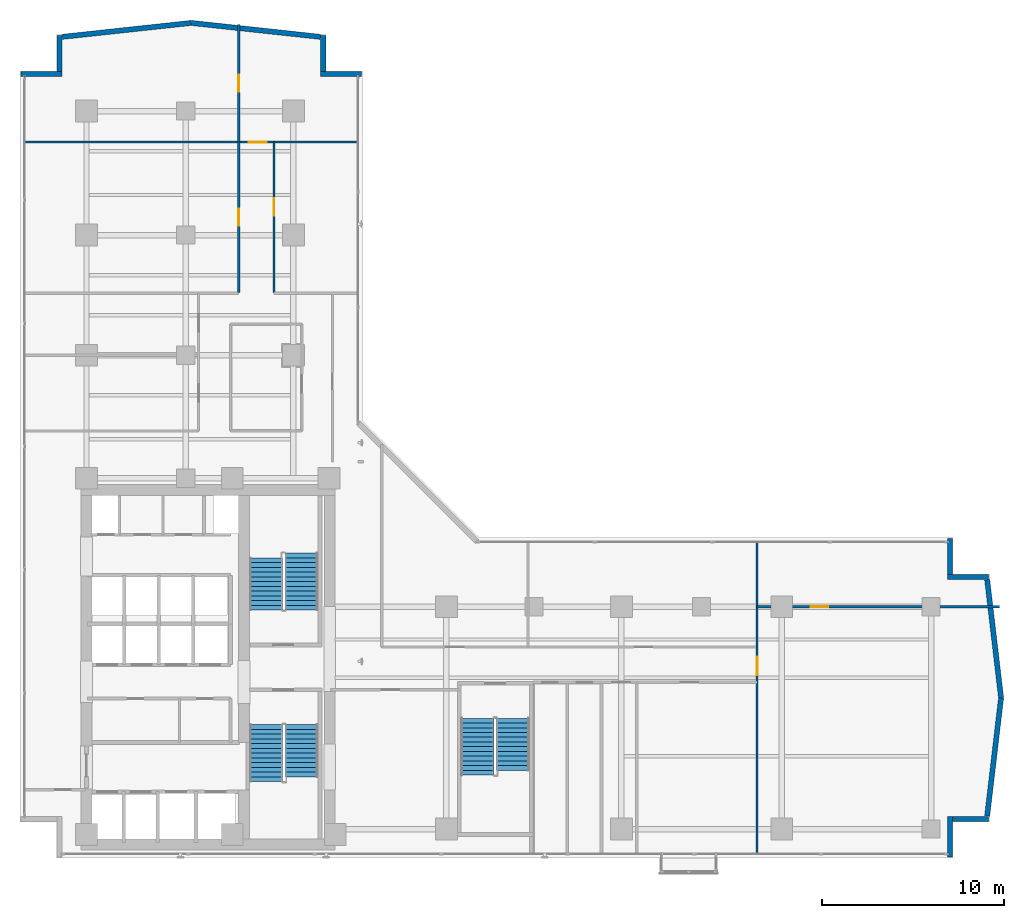
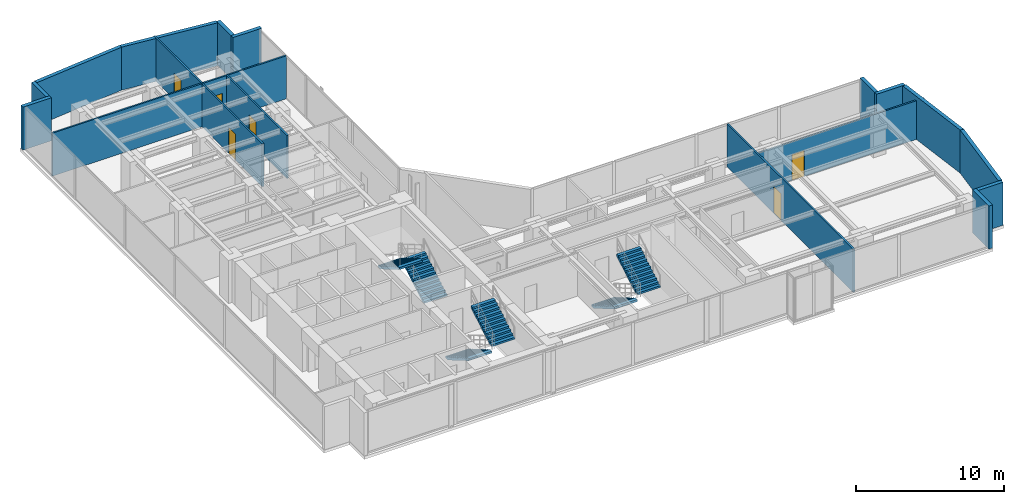
# One storey, part 21 of 26: 18 walls, 6 doors, 6 stair flights, 6 openings, 3 elements without a shape of their own.
"""IFC4 building model written with IfcOpenShell, lengths in metres."""

import ifcopenshell
import ifcopenshell.guid

model = None  # the IFC model being written
_history = None  # IfcOwnerHistory: only IFC2X3 demands one
_inside = {}  # id of a spatial element -> (the spatial element, [elements in it])
_under = {}  # id of a project, library or spatial element -> (it, [spatial elements below it])
_declared = {}  # id of a project -> (the project, [libraries it declares])
_typed = {}  # id of a type object -> (the type object, [elements of that type])
_made_of = {}  # id of a material, layer set ... -> (it, [elements and type objects made of it])


def new_model(schema):
    """Start an empty IFC model of exactly this schema.

    Asked for "IFC4X3", IfcOpenShell would pick the latest addendum, in which some entities
    have other attributes; the version numbers below select the first issue.
    IFC2X3 requires an IfcOwnerHistory on every rooted entity: one is made here for all.
    """
    global model, _history
    if schema == "IFC4X3":
        model = ifcopenshell.file(schema_version=(4, 3, 0, 0))
    else:
        model = ifcopenshell.file(schema=schema)
    _inside.clear()
    _under.clear()
    _declared.clear()
    _typed.clear()
    _made_of.clear()
    _history = None
    if model.schema == "IFC2X3":
        org = make("IfcOrganization", Name="unknown")
        user = make(
            "IfcPersonAndOrganization",
            ThePerson=make("IfcPerson", FamilyName="unknown"),
            TheOrganization=org,
        )
        app = make(
            "IfcApplication",
            ApplicationDeveloper=org,
            Version="unknown",
            ApplicationFullName="unknown",
            ApplicationIdentifier="unknown",
        )
        _history = make(
            "IfcOwnerHistory",
            OwningUser=user,
            OwningApplication=app,
            ChangeAction="ADDED",
            CreationDate=0,
        )
    return model


def make(cls, **values):
    """One entity of the class cls with the attributes given. An attribute that is None is left unset."""
    return model.create_entity(
        cls, **{name: value for name, value in values.items() if value is not None}
    )


def rooted(cls, **values):
    """An entity with a GlobalId (a new one), such as an element, a storey or a relation."""
    return make(cls, GlobalId=ifcopenshell.guid.new(), OwnerHistory=_history, **values)


def si_unit(unit_type, name, prefix=None):
    """IfcSIUnit, for example si_unit("LENGTHUNIT", "METRE", prefix="MILLI")."""
    return make("IfcSIUnit", UnitType=unit_type, Prefix=prefix, Name=name)


def assignment(units):
    """IfcUnitAssignment: the units of a project."""
    return None if units is None else make("IfcUnitAssignment", Units=units)


def point(xyz):
    """IfcCartesianPoint."""
    return None if xyz is None else make("IfcCartesianPoint", Coordinates=xyz)


def direction(xyz):
    """IfcDirection."""
    return None if xyz is None else make("IfcDirection", DirectionRatios=xyz)


def frame(location, z_axis=None, x_axis=None):
    """IfcAxis2Placement3D, a coordinate frame: its origin and axes. An axis left out is left unset."""
    return make(
        "IfcAxis2Placement3D",
        Location=point(location),
        Axis=direction(z_axis),
        RefDirection=direction(x_axis),
    )


def frame_2d(location, x_axis=None):
    """IfcAxis2Placement2D, a coordinate frame in the plane: its origin and x axis."""
    return make(
        "IfcAxis2Placement2D", Location=point(location), RefDirection=direction(x_axis)
    )


def origin():
    """The frame at (0, 0, 0) with its axes left unset."""
    return frame((0.0, 0.0, 0.0))


def place(relative_to, where):
    """IfcLocalPlacement: puts the frame where relative to a parent placement (None: the world)."""
    return make(
        "IfcLocalPlacement", PlacementRelTo=relative_to, RelativePlacement=where
    )


def context(
    kind, dimensions, precision=None, world=None, true_north=None, identifier=None
):
    """IfcGeometricRepresentationContext, for example the 3D "Model" context."""
    return make(
        "IfcGeometricRepresentationContext",
        ContextIdentifier=identifier,
        ContextType=kind,
        CoordinateSpaceDimension=dimensions,
        Precision=precision,
        WorldCoordinateSystem=world,
        TrueNorth=true_north,
    )


def subcontext(parent, identifier, kind, view, scale=None):
    """IfcGeometricRepresentationSubContext, for example "Body" below "Model"."""
    return make(
        "IfcGeometricRepresentationSubContext",
        ContextIdentifier=identifier,
        ContextType=kind,
        ParentContext=parent,
        TargetScale=scale,
        TargetView=view,
    )


def project(units=None, contexts=None):
    """IfcProject with its units and contexts."""
    return rooted(
        "IfcProject",
        Name="project",
        RepresentationContexts=contexts,
        UnitsInContext=assignment(units),
    )


def spatial(cls, under=None, at=None, **own):
    """A site, building, storey or space (cls), placed at a placement, below another one or the project."""
    s = rooted(cls, ObjectPlacement=at, **own)
    if under is not None:
        _under.setdefault(under.id(), (under, []))[1].append(s)
    return s


def polyline(points):
    """IfcPolyline through the points."""
    return make("IfcPolyline", Points=[point(p) for p in points])


def profile(cls, at=None, kind="AREA", **sizes):
    """A parametric profile (cls). Its sizes go by their IFC names, for example OverallWidth=200.0."""
    return make(cls, ProfileType=kind, Position=at, **sizes)


def rectangle(**sizes):
    """IfcRectangleProfileDef."""
    return profile("IfcRectangleProfileDef", **sizes)


def outline(outer, holes=None, kind="AREA"):
    """IfcArbitraryClosedProfileDef: a profile drawn as a closed curve; with holes, ...WithVoids."""
    if holes is None:
        return make("IfcArbitraryClosedProfileDef", ProfileType=kind, OuterCurve=outer)
    return make(
        "IfcArbitraryProfileDefWithVoids",
        ProfileType=kind,
        OuterCurve=outer,
        InnerCurves=holes,
    )


def extrude(swept, where, along, depth):
    """IfcExtrudedAreaSolid: the profile swept, set in the frame where, extruded along a direction by depth."""
    return make(
        "IfcExtrudedAreaSolid",
        SweptArea=swept,
        Position=where,
        ExtrudedDirection=direction(along),
        Depth=depth,
    )


def shape(context_of_items, identifier, shape_type, items):
    """IfcShapeRepresentation: the items that make up one representation, for example the "Body"."""
    return make(
        "IfcShapeRepresentation",
        ContextOfItems=context_of_items,
        RepresentationIdentifier=identifier,
        RepresentationType=shape_type,
        Items=items,
    )


def material(Name=None, Category=None):
    """IfcMaterial."""
    return make("IfcMaterial", Name=Name, Category=Category)


def layer(
    of_material, thickness, ventilated=None, Name=None, Category=None, Priority=None
):
    """IfcMaterialLayer: one layer of a wall or slab, of a material (None: an air gap)."""
    return make(
        "IfcMaterialLayer",
        Material=of_material,
        LayerThickness=thickness,
        IsVentilated=ventilated,
        Name=Name,
        Category=Category,
        Priority=Priority,
    )


def layer_set(layers, Name=None):
    """IfcMaterialLayerSet."""
    return make("IfcMaterialLayerSet", MaterialLayers=layers, LayerSetName=Name)


def made_of(thing, what):
    """Note that an element or type object is made of a material, layer set ...; save() writes the relation."""
    if what is not None:
        _made_of.setdefault(what.id(), (what, []))[1].append(thing)
    return thing


def type_object(cls, material=None, **own):
    """A type object (cls), such as IfcWallType, which elements share."""
    return made_of(rooted(cls, **own), material)


def element(
    cls,
    number,
    at=None,
    inside=None,
    cuts=None,
    type_object=None,
    material=None,
    context=None,
    identifier="Body",
    shape_type=None,
    held_by="IfcProductDefinitionShape",
    body=None,
    shapes=None,
    **own,
):
    """One element of the class cls, such as IfcWall. Its Tag is "e" and its number.

    at: its placement. inside: the storey or other place that contains it. cuts: it is an
    opening in that element (IfcRelVoidsElement). A single representation is given by context,
    identifier, shape_type and body (its items); several are given by shapes. held_by: the class
    of the entity that holds the representations. save() writes the other relations.
    """
    e = rooted(cls, Tag="e%d" % number, ObjectPlacement=at, **own)
    if body is not None:
        shapes = [shape(context, identifier, shape_type, body)]
    if shapes is not None:
        e.Representation = make(held_by, Representations=shapes)
    if inside is not None:
        _inside.setdefault(inside.id(), (inside, []))[1].append(e)
    if cuts is not None:
        rooted(
            "IfcRelVoidsElement", RelatingBuildingElement=cuts, RelatedOpeningElement=e
        )
    if type_object is not None:
        _typed.setdefault(type_object.id(), (type_object, []))[1].append(e)
    return made_of(e, material)


def fill(opening, filler):
    """IfcRelFillsElement: the door or window that sits in an opening."""
    return rooted(
        "IfcRelFillsElement",
        RelatingOpeningElement=opening,
        RelatedBuildingElement=filler,
    )


def aggregate(whole, parts):
    """IfcRelAggregates: a whole, such as a stair, and the parts it consists of."""
    return rooted("IfcRelAggregates", RelatingObject=whole, RelatedObjects=parts)


def save(model, path):
    """Write the relations noted so far, then the file.

    IfcRelAggregates (storeys below a building ...), IfcRelContainedInSpatialStructure (elements
    in a storey), IfcRelDefinesByType, IfcRelAssociatesMaterial and IfcRelDeclares: one each for
    every whole, place, type object, material and project.
    """
    for whole, parts in _under.values():
        aggregate(whole, parts)
    for where, things in _inside.values():
        rooted(
            "IfcRelContainedInSpatialStructure",
            RelatedElements=things,
            RelatingStructure=where,
        )
    for kind, things in _typed.values():
        rooted("IfcRelDefinesByType", RelatedObjects=things, RelatingType=kind)
    for what, things in _made_of.values():
        rooted("IfcRelAssociatesMaterial", RelatedObjects=things, RelatingMaterial=what)
    for by, libraries in _declared.values():
        rooted("IfcRelDeclares", RelatingContext=by, RelatedDefinitions=libraries)
    model.write(path)


model = new_model("IFC4")

# Units and contexts
model_context = context("Model", 3, precision=1e-05, world=origin(), true_north=direction((0.0, 1.0)))
body_context = subcontext(model_context, "Body", "Model", "MODEL_VIEW")
ifc_project = project(units=[si_unit("LENGTHUNIT", "METRE"), si_unit("AREAUNIT", "SQUARE_METRE"), si_unit("VOLUMEUNIT", "CUBIC_METRE"), si_unit("PLANEANGLEUNIT", "RADIAN"), si_unit("MASSUNIT", "GRAM", prefix="KILO")], contexts=[model_context])

# Site, building, storey
site_placement = place(None, origin())
site = spatial("IfcSite", under=ifc_project, at=site_placement, CompositionType="ELEMENT")
building_placement = place(site_placement, origin())
building = spatial("IfcBuilding", under=site, at=building_placement, Name="Kolvaren Waterfront Exchange", CompositionType="ELEMENT")
storey_placement = place(building_placement, frame((0.0, 0.0, 165.199951171875)))
storey = spatial("IfcBuildingStorey", under=building, at=storey_placement, Name="L42", CompositionType="ELEMENT", Elevation=165.199951171875)

# Walls
ifc_material_1 = material(Name="Precast concrete C40/50", Category="concrete")
ifc_layer_1 = layer(ifc_material_1, 0.280029296875, Name="Precast concrete C40/50")
ifc_layer_set_1 = layer_set([ifc_layer_1], Name="Precast concrete C40/50")
wall_type_1 = type_object("IfcWallType", Name="ARC-EXT-TERR-280", PredefinedType="SOLIDWALL", material=ifc_layer_set_1)
wall_1_placement = place(storey_placement, frame((54.840087890625, 3.659912109375, 0.0), z_axis=(0.0, 0.0, 1.0), x_axis=(0.0, 1.0, 0.0)))
element("IfcWall", 1, at=wall_1_placement, inside=storey, type_object=wall_type_1, Name="L42 notched corner spandrel pier SE-A", PredefinedType="SOLIDWALL", context=body_context, shape_type="SweptSolid", body=[
    extrude(rectangle(XDim=2.239990234375, YDim=0.280029296875, at=frame_2d((1.1201171875, 0.0))), origin(), (0.0, 0.0, 1.0), 3.56005859375),
])
wall_2_placement = place(storey_placement, frame((54.97998046875, 5.760009765625, 0.0), z_axis=(0.0, 0.0, 1.0), x_axis=(1.0, 0.0, 0.0)))
element("IfcWall", 2, at=wall_2_placement, inside=storey, type_object=wall_type_1, Name="L42 notched corner spandrel pier SE-B", PredefinedType="SOLIDWALL", context=body_context, shape_type="SweptSolid", body=[
    extrude(rectangle(XDim=1.9599609375, YDim=0.280029296875, at=frame_2d((0.97998046875, 0.0))), origin(), (0.0, 0.0, 1.0), 3.56005859375),
])
wall_3_placement = place(storey_placement, frame((54.840087890625, 19.1650390625, 0.0), z_axis=(0.0, 0.0, 1.0), x_axis=(0.0, 1.0, 0.0)))
element("IfcWall", 3, at=wall_3_placement, inside=storey, type_object=wall_type_1, Name="L42 notched corner spandrel pier ENE-A", PredefinedType="SOLIDWALL", context=body_context, shape_type="SweptSolid", body=[
    extrude(rectangle(XDim=1.974853515625, YDim=0.280029296875, at=frame_2d((0.9873046875, 0.0))), origin(), (0.0, 0.0, 1.0), 3.56005859375),
])
for number, where, z_axis, x_axis, name in (
    (4, (54.699951171875, 19.0400390625, 0.0), (0.0, 0.0, 1.0), (1.0, 0.0, 0.0), "L42 notched corner spandrel pier ENE-B"),
    (5, (20.300048828125, 46.639892578125, 0.0), (0.0, 0.0, 1.0), (1.0, 0.0, 0.0), "L42 notched corner spandrel pier NNE-A"),
):
    element("IfcWall", number, at=place(storey_placement, frame(where, z_axis=z_axis, x_axis=x_axis)), inside=storey, type_object=wall_type_1, Name=name, PredefinedType="SOLIDWALL", context=body_context, shape_type="SweptSolid", body=[
        extrude(rectangle(XDim=2.239990234375, YDim=0.280029296875, at=frame_2d((1.1201171875, 0.0))), origin(), (0.0, 0.0, 1.0), 3.56005859375),
    ])
wall_4_placement = place(storey_placement, frame((20.43994140625, 46.780029296875, 0.0), z_axis=(0.0, 0.0, 1.0), x_axis=(0.0, 1.0, 0.0)))
element("IfcWall", 6, at=wall_4_placement, inside=storey, type_object=wall_type_1, Name="L42 notched corner spandrel pier NNE-B", PredefinedType="SOLIDWALL", context=body_context, shape_type="SweptSolid", body=[
    extrude(rectangle(XDim=1.9599609375, YDim=0.280029296875, at=frame_2d((0.97998046875, 0.0))), origin(), (0.0, 0.0, 1.0), 3.56005859375),
])
wall_5_placement = place(storey_placement, frame((3.860107421875, 46.639892578125, 0.0), z_axis=(0.0, 0.0, 1.0), x_axis=(1.0, 0.0, 0.0)))
element("IfcWall", 7, at=wall_5_placement, inside=storey, type_object=wall_type_1, Name="L42 notched corner spandrel pier NW-A", PredefinedType="SOLIDWALL", context=body_context, shape_type="SweptSolid", body=[
    extrude(rectangle(XDim=2.239990234375, YDim=0.280029296875, at=frame_2d((1.1201171875, 0.0))), origin(), (0.0, 0.0, 1.0), 3.56005859375),
])
wall_6_placement = place(storey_placement, frame((5.9599609375, 46.780029296875, 0.0), z_axis=(0.0, 0.0, 1.0), x_axis=(0.0, 1.0, 0.0)))
element("IfcWall", 8, at=wall_6_placement, inside=storey, type_object=wall_type_1, Name="L42 notched corner spandrel pier NW-B", PredefinedType="SOLIDWALL", context=body_context, shape_type="SweptSolid", body=[
    extrude(rectangle(XDim=1.9599609375, YDim=0.280029296875, at=frame_2d((0.97998046875, 0.0))), origin(), (0.0, 0.0, 1.0), 3.56005859375),
])
for number, where, z_axis, x_axis, name in (
    (9, (56.876220703125, 5.91650390625, 0.0), (0.0, 0.0, 1.0), (0.11685426921, 0.993149072278, 0.0), "L42 east prow faceted facade wall 1"),
    (10, (57.638916015625, 12.401123046875, 0.0), (0.0, 0.0, 1.0), (-0.11685426921, 0.993149072278, 0.0), "L42 east prow faceted facade wall 2"),
):
    element("IfcWall", number, at=place(storey_placement, frame(where, z_axis=z_axis, x_axis=x_axis)), inside=storey, type_object=wall_type_1, Name=name, PredefinedType="SOLIDWALL", context=body_context, shape_type="SweptSolid", body=[
        extrude(rectangle(XDim=6.52685546875, YDim=0.280029296875, at=frame_2d((3.263427734375, 0.0))), origin(), (0.0, 0.0, 1.0), 3.56005859375),
    ])
for number, where, z_axis, x_axis, name in (
    (11, (20.284423828125, 48.673095703125, 0.0), (0.0, 0.0, 1.0), (-0.994206651606, 0.107485505548, 0.0), "L42 north prow faceted facade wall 1"),
    (12, (13.197265625, 49.438720703125, 0.0), (0.0, 0.0, 1.0), (-0.994206651606, -0.107485505548, 0.0), "L42 north prow faceted facade wall 2"),
):
    element("IfcWall", number, at=place(storey_placement, frame(where, z_axis=z_axis, x_axis=x_axis)), inside=storey, type_object=wall_type_1, Name=name, PredefinedType="SOLIDWALL", context=body_context, shape_type="SweptSolid", body=[
        extrude(rectangle(XDim=7.123046875, YDim=0.280029296875, at=frame_2d((3.5615234375, 0.0))), origin(), (0.0, 0.0, 1.0), 3.56005859375),
    ])

# Wall, opening, door
ifc_material_2 = material(Name="Acoustic gypsum steel stud", Category="steel")
ifc_layer_2 = layer(ifc_material_2, 0.125, Name="Acoustic gypsum steel stud")
ifc_layer_set_2 = layer_set([ifc_layer_2], Name="Acoustic gypsum steel stud")
wall_type_2 = type_object("IfcWallType", Name="ARC-PART-125", PredefinedType="PARTITIONING", material=ifc_layer_set_2)
wall_7_placement = place(storey_placement, frame((44.25, 3.840087890625, 0.0), z_axis=(0.0, 0.0, 1.0), x_axis=(0.0, 1.0, 0.0)))
wall_7 = element("IfcWall", 13, at=wall_7_placement, inside=storey, type_object=wall_type_2, Name="L42 interior wall PW-L42-ETIP-W", PredefinedType="PARTITIONING", context=body_context, shape_type="SweptSolid", body=[
    extrude(rectangle(XDim=17.119873046875, YDim=0.125, at=frame_2d((8.56005859375, 0.0))), origin(), (0.0, 0.0, 1.0), 3.56005859375),
])
opening_1_placement = place(wall_7_placement, frame((9.81005859375, 0.0, 0.0)))
opening_1 = element("IfcOpeningElement", 14, at=opening_1_placement, cuts=wall_7, Name="Opening D03", PredefinedType="OPENING", context=body_context, shape_type="SweptSolid", body=[
    extrude(rectangle(XDim=1.0, YDim=2.199951171875, at=frame_2d((0.5, 1.10009765625))), frame((0.0, 0.072509765625, 0.0), z_axis=(0.0, -1.0, 0.0), x_axis=(1.0, 0.0, 0.0)), (0.0, 0.0, 1.0), 0.14501953125),
])
ifc_material_3 = material(Name="Oak veneer accessible timber", Category="wood")
door_type_1 = type_object("IfcDoorType", Name="ARC-DR-1000", OperationType="NOTDEFINED", PredefinedType="DOOR", material=ifc_material_3)
door_1_placement = place(opening_1_placement, origin())
door_1 = element("IfcDoor", 15, at=door_1_placement, inside=storey, type_object=door_type_1, Name="L42 door DR-L42-ETIP1-D (D03)", OperationType="SINGLE_SWING_LEFT", OverallHeight=2.199951171875, OverallWidth=1.0, PredefinedType="DOOR", context=body_context, shape_type="SweptSolid", body=[
    extrude(rectangle(XDim=1.0, YDim=2.199951171875, at=frame_2d((0.5, 1.10009765625))), frame((0.0, 0.02490234375, 0.0), z_axis=(0.0, -1.0, 0.0), x_axis=(1.0, 0.0, 0.0)), (0.0, 0.0, 1.0), 0.050048828125),
])
fill(opening_1, door_1)

wall_8_placement = place(storey_placement, frame((44.25, 17.39990234375, 0.0), z_axis=(0.0, 0.0, 1.0), x_axis=(1.0, 0.0, 0.0)))
wall_8 = element("IfcWall", 16, at=wall_8_placement, inside=storey, type_object=wall_type_2, Name="L42 interior wall PW-L42-ETIP-MID", PredefinedType="PARTITIONING", context=body_context, shape_type="SweptSolid", body=[
    extrude(rectangle(XDim=13.31005859375, YDim=0.125, at=frame_2d((6.655029296875, 0.0))), origin(), (0.0, 0.0, 1.0), 3.199951171875),
])
opening_2_placement = place(wall_8_placement, frame((2.949951171875, 0.0, 0.0)))
opening_2 = element("IfcOpeningElement", 17, at=opening_2_placement, cuts=wall_8, Name="Opening D02", PredefinedType="OPENING", context=body_context, shape_type="SweptSolid", body=[
    extrude(rectangle(XDim=0.949951171875, YDim=2.14990234375, at=frame_2d((0.47509765625, 1.074951171875))), frame((0.0, 0.072509765625, 0.0), z_axis=(0.0, -1.0, 0.0), x_axis=(1.0, 0.0, 0.0)), (0.0, 0.0, 1.0), 0.14501953125),
])
ifc_material_4 = material(Name="Oak veneer acoustic timber", Category="wood")
door_type_2 = type_object("IfcDoorType", Name="ARC-DR-950", OperationType="NOTDEFINED", PredefinedType="DOOR", material=ifc_material_4)
door_2_placement = place(opening_2_placement, origin())
door_2 = element("IfcDoor", 18, at=door_2_placement, inside=storey, type_object=door_type_2, Name="L42 door DR-L42-ETIP2-D (D02)", OperationType="SINGLE_SWING_RIGHT", OverallHeight=2.14990234375, OverallWidth=0.949951171875, PredefinedType="DOOR", context=body_context, shape_type="SweptSolid", body=[
    extrude(rectangle(XDim=0.949951171875, YDim=2.14990234375, at=frame_2d((0.47509765625, 1.074951171875))), frame((0.0, 0.02490234375, 0.0), z_axis=(0.0, -1.0, 0.0), x_axis=(1.0, 0.0, 0.0)), (0.0, 0.0, 1.0), 0.050048828125),
])
fill(opening_2, door_2)

wall_9_placement = place(storey_placement, frame((15.800048828125, 34.64990234375, 0.0), z_axis=(0.0, 0.0, 1.0), x_axis=(0.0, 1.0, 0.0)))
wall_9 = element("IfcWall", 19, at=wall_9_placement, inside=storey, type_object=wall_type_2, Name="L42 interior wall PW-L42-NW-CORR", PredefinedType="PARTITIONING", context=body_context, shape_type="SweptSolid", body=[
    extrude(rectangle(XDim=8.25, YDim=0.125, at=frame_2d((4.125, 0.0))), origin(), (0.0, 0.0, 1.0), 3.56005859375),
])
opening_3_placement = place(wall_9_placement, frame((3.64990234375, 0.0, 0.0)))
opening_3 = element("IfcOpeningElement", 20, at=opening_3_placement, cuts=wall_9, Name="Opening D02", PredefinedType="OPENING", context=body_context, shape_type="SweptSolid", body=[
    extrude(rectangle(XDim=0.949951171875, YDim=2.14990234375, at=frame_2d((0.47509765625, 1.074951171875))), frame((0.0, 0.072509765625, 0.0), z_axis=(0.0, -1.0, 0.0), x_axis=(1.0, 0.0, 0.0)), (0.0, 0.0, 1.0), 0.14501953125),
])
door_3_placement = place(opening_3_placement, origin())
door_3 = element("IfcDoor", 21, at=door_3_placement, inside=storey, type_object=door_type_2, Name="L42 door DR-L42-NW-D-1 (D02)", OperationType="SINGLE_SWING_LEFT", OverallHeight=2.14990234375, OverallWidth=0.949951171875, PredefinedType="DOOR", context=body_context, shape_type="SweptSolid", body=[
    extrude(rectangle(XDim=0.949951171875, YDim=2.14990234375, at=frame_2d((0.47509765625, 1.074951171875))), frame((0.0, 0.02490234375, 0.0), z_axis=(0.0, -1.0, 0.0), x_axis=(1.0, 0.0, 0.0)), (0.0, 0.0, 1.0), 0.050048828125),
])
fill(opening_3, door_3)

wall_10_placement = place(storey_placement, frame((4.0400390625, 42.89990234375, 0.0), z_axis=(0.0, 0.0, 1.0), x_axis=(1.0, 0.0, 0.0)))
wall_10 = element("IfcWall", 22, at=wall_10_placement, inside=storey, type_object=wall_type_2, Name="L42 interior wall PW-L42-NTIP-S", PredefinedType="PARTITIONING", context=body_context, shape_type="SweptSolid", body=[
    extrude(rectangle(XDim=18.320068359375, YDim=0.125, at=frame_2d((9.16015625, 0.0))), origin(), (0.0, 0.0, 1.0), 3.56005859375),
])
opening_4_placement = place(wall_10_placement, frame((12.300048828125, 0.0, 0.0)))
opening_4 = element("IfcOpeningElement", 23, at=opening_4_placement, cuts=wall_10, Name="Opening D03", PredefinedType="OPENING", context=body_context, shape_type="SweptSolid", body=[
    extrude(rectangle(XDim=1.0, YDim=2.199951171875, at=frame_2d((0.5, 1.10009765625))), frame((0.0, 0.072509765625, 0.0), z_axis=(0.0, -1.0, 0.0), x_axis=(1.0, 0.0, 0.0)), (0.0, 0.0, 1.0), 0.14501953125),
])
door_4_placement = place(opening_4_placement, origin())
door_4 = element("IfcDoor", 24, at=door_4_placement, inside=storey, type_object=door_type_1, Name="L42 door DR-L42-NTIPE-D (D03)", OperationType="SINGLE_SWING_RIGHT", OverallHeight=2.199951171875, OverallWidth=1.0, PredefinedType="DOOR", context=body_context, shape_type="SweptSolid", body=[
    extrude(rectangle(XDim=1.0, YDim=2.199951171875, at=frame_2d((0.5, 1.10009765625))), frame((0.0, 0.02490234375, 0.0), z_axis=(0.0, -1.0, 0.0), x_axis=(1.0, 0.0, 0.0)), (0.0, 0.0, 1.0), 0.050048828125),
])
fill(opening_4, door_4)

wall_11_placement = place(storey_placement, frame((15.800048828125, 42.89990234375, 0.0), z_axis=(0.0, 0.0, 1.0), x_axis=(0.0, 1.0, 0.0)))
wall_11 = element("IfcWall", 25, at=wall_11_placement, inside=storey, type_object=wall_type_2, Name="L42 interior wall PW-L42-NTIP-DIV", PredefinedType="PARTITIONING", context=body_context, shape_type="SweptSolid", body=[
    extrude(rectangle(XDim=6.460205078125, YDim=0.125, at=frame_2d((3.22998046875, 0.0))), origin(), (0.0, 0.0, 1.0), 3.56005859375),
])
opening_5_placement = place(wall_11_placement, frame((2.75, 0.0, 0.0)))
opening_5 = element("IfcOpeningElement", 26, at=opening_5_placement, cuts=wall_11, Name="Opening D02", PredefinedType="OPENING", context=body_context, shape_type="SweptSolid", body=[
    extrude(rectangle(XDim=0.949951171875, YDim=2.14990234375, at=frame_2d((0.47509765625, 1.074951171875))), frame((0.0, 0.072509765625, 0.0), z_axis=(0.0, -1.0, 0.0), x_axis=(1.0, 0.0, 0.0)), (0.0, 0.0, 1.0), 0.14501953125),
])
door_5_placement = place(opening_5_placement, origin())
door_5 = element("IfcDoor", 27, at=door_5_placement, inside=storey, type_object=door_type_2, Name="L42 door DR-L42-NTIPW-D (D02)", OperationType="SINGLE_SWING_LEFT", OverallHeight=2.14990234375, OverallWidth=0.949951171875, PredefinedType="DOOR", context=body_context, shape_type="SweptSolid", body=[
    extrude(rectangle(XDim=0.949951171875, YDim=2.14990234375, at=frame_2d((0.47509765625, 1.074951171875))), frame((0.0, 0.02490234375, 0.0), z_axis=(0.0, -1.0, 0.0), x_axis=(1.0, 0.0, 0.0)), (0.0, 0.0, 1.0), 0.050048828125),
])
fill(opening_5, door_5)

wall_12_placement = place(storey_placement, frame((17.739990234375, 34.64990234375, 0.0), z_axis=(0.0, 0.0, 1.0), x_axis=(0.0, 1.0, 0.0)))
wall_12 = element("IfcWall", 28, at=wall_12_placement, inside=storey, type_object=wall_type_2, Name="L42 interior wall PW-L42-NE-CORR", PredefinedType="PARTITIONING", context=body_context, shape_type="SweptSolid", body=[
    extrude(rectangle(XDim=8.25, YDim=0.125, at=frame_2d((4.125, 0.0))), origin(), (0.0, 0.0, 1.0), 3.56005859375),
])
opening_6_placement = place(wall_12_placement, frame((4.215087890625, 0.0, 0.0)))
opening_6 = element("IfcOpeningElement", 29, at=opening_6_placement, cuts=wall_12, Name="Opening D02", PredefinedType="OPENING", context=body_context, shape_type="SweptSolid", body=[
    extrude(rectangle(XDim=0.949951171875, YDim=2.14990234375, at=frame_2d((0.47509765625, 1.074951171875))), frame((0.0, 0.072509765625, 0.0), z_axis=(0.0, -1.0, 0.0), x_axis=(1.0, 0.0, 0.0)), (0.0, 0.0, 1.0), 0.14501953125),
])
door_6_placement = place(opening_6_placement, origin())
door_6 = element("IfcDoor", 30, at=door_6_placement, inside=storey, type_object=door_type_2, Name="L42 door DR-L42-NE-D-1 (D02)", OperationType="SINGLE_SWING_RIGHT", OverallHeight=2.14990234375, OverallWidth=0.949951171875, PredefinedType="DOOR", context=body_context, shape_type="SweptSolid", body=[
    extrude(rectangle(XDim=0.949951171875, YDim=2.14990234375, at=frame_2d((0.47509765625, 1.074951171875))), frame((0.0, 0.02490234375, 0.0), z_axis=(0.0, -1.0, 0.0), x_axis=(1.0, 0.0, 0.0)), (0.0, 0.0, 1.0), 0.050048828125),
])
fill(opening_6, door_6)

# Stair, stair flights
ifc_material_5 = material(Name="Concrete C40/50", Category="concrete")
stair_type = type_object("IfcStairType", Name="ARC-STAIR-3800", PredefinedType="HALF_TURN_STAIR", material=ifc_material_5)
stair_1_placement = place(storey_placement, origin())
stair_1 = element("IfcStair", 31, at=stair_1_placement, inside=storey, type_object=stair_type, Name="L42 Smoke-proof exit stair ST1", PredefinedType="HALF_TURN_STAIR")
stair_flight_type = type_object("IfcStairFlightType", Name="ARC-FLIGHT-3800", PredefinedType="STRAIGHT", material=ifc_material_5)
stair_flight_1_placement = place(storey_placement, frame((17.300048828125, 10.929931640625, 0.0), z_axis=(0.0, 0.0, 1.0), x_axis=(0.0, -1.0, 0.0)))
stair_flight_1 = element("IfcStairFlight", 32, at=stair_flight_1_placement, type_object=stair_flight_type, Name="ST1 flight 1", NumberOfRisers=13, NumberOfTreads=12, PredefinedType="STRAIGHT", RiserHeight=0.152, TreadLength=0.26, context=body_context, shape_type="SweptSolid", body=[
    extrude(outline(polyline([(0.0, 0.0), (0.0, 0.152099609375), (0.260009765625, 0.152099609375), (0.260009765625, 0.303955078125), (0.52001953125, 0.303955078125), (0.52001953125, 0.4560546875), (0.780029296875, 0.4560546875), (0.780029296875, 0.60791015625), (1.0400390625, 0.60791015625), (1.0400390625, 0.760009765625), (1.300048828125, 0.760009765625), (1.300048828125, 0.912109375), (1.56005859375, 0.912109375), (1.56005859375, 1.06396484375), (1.820068359375, 1.06396484375), (1.820068359375, 1.216064453125), (2.080078125, 1.216064453125), (2.080078125, 1.367919921875), (2.340087890625, 1.367919921875), (2.340087890625, 1.52001953125), (2.60009765625, 1.52001953125), (2.60009765625, 1.672119140625), (2.860107421875, 1.672119140625), (2.860107421875, 1.823974609375), (3.1201171875, 1.823974609375), (3.1201171875, 1.97607421875), (3.1201171875, 1.650390625), (0.297119140625, 0.0), (0.0, 0.0)])), frame((0.0, 0.89990234375, 0.0), z_axis=(0.0, -1.0, 0.0), x_axis=(1.0, 0.0, 0.0)), (0.0, 0.0, 1.0), 1.800048828125),
])
stair_flight_2_placement = place(storey_placement, frame((19.260009765625, 8.070068359375, 1.97607421875), z_axis=(0.0, 0.0, 1.0), x_axis=(0.0, 1.0, 0.0)))
stair_flight_2 = element("IfcStairFlight", 33, at=stair_flight_2_placement, type_object=stair_flight_type, Name="ST1 flight 2", NumberOfRisers=12, NumberOfTreads=11, PredefinedType="STRAIGHT", RiserHeight=0.152, TreadLength=0.26, context=body_context, shape_type="SweptSolid", body=[
    extrude(outline(polyline([(0.0, 0.0), (0.0, 0.152099609375), (0.260009765625, 0.152099609375), (0.260009765625, 0.303955078125), (0.52001953125, 0.303955078125), (0.52001953125, 0.4560546875), (0.780029296875, 0.4560546875), (0.780029296875, 0.60791015625), (1.0400390625, 0.60791015625), (1.0400390625, 0.760009765625), (1.300048828125, 0.760009765625), (1.300048828125, 0.912109375), (1.56005859375, 0.912109375), (1.56005859375, 1.06396484375), (1.820068359375, 1.06396484375), (1.820068359375, 1.216064453125), (2.080078125, 1.216064453125), (2.080078125, 1.367919921875), (2.340087890625, 1.367919921875), (2.340087890625, 1.52001953125), (2.60009765625, 1.52001953125), (2.60009765625, 1.672119140625), (2.860107421875, 1.672119140625), (2.860107421875, 1.823974609375), (2.860107421875, 1.498291015625), (0.297119140625, 0.0), (0.0, 0.0)])), frame((0.0, 0.89990234375, 0.0), z_axis=(0.0, -1.0, 0.0), x_axis=(1.0, 0.0, 0.0)), (0.0, 0.0, 1.0), 1.800048828125),
])
aggregate(stair_1, [stair_flight_1, stair_flight_2])

stair_2_placement = place(storey_placement, origin())
stair_2 = element("IfcStair", 34, at=stair_2_placement, inside=storey, type_object=stair_type, Name="L42 Smoke-proof exit stair ST2", PredefinedType="HALF_TURN_STAIR")
stair_flight_3_placement = place(storey_placement, frame((19.260009765625, 17.219970703125, 0.0), z_axis=(0.0, 0.0, 1.0), x_axis=(0.0, 1.0, 0.0)))
stair_flight_3 = element("IfcStairFlight", 35, at=stair_flight_3_placement, type_object=stair_flight_type, Name="ST2 flight 1", NumberOfRisers=13, NumberOfTreads=12, PredefinedType="STRAIGHT", RiserHeight=0.152, TreadLength=0.26, context=body_context, shape_type="SweptSolid", body=[
    extrude(outline(polyline([(0.0, 0.0), (0.0, 0.152099609375), (0.260009765625, 0.152099609375), (0.260009765625, 0.303955078125), (0.52001953125, 0.303955078125), (0.52001953125, 0.4560546875), (0.780029296875, 0.4560546875), (0.780029296875, 0.60791015625), (1.0400390625, 0.60791015625), (1.0400390625, 0.760009765625), (1.300048828125, 0.760009765625), (1.300048828125, 0.912109375), (1.56005859375, 0.912109375), (1.56005859375, 1.06396484375), (1.820068359375, 1.06396484375), (1.820068359375, 1.216064453125), (2.080078125, 1.216064453125), (2.080078125, 1.367919921875), (2.340087890625, 1.367919921875), (2.340087890625, 1.52001953125), (2.60009765625, 1.52001953125), (2.60009765625, 1.672119140625), (2.860107421875, 1.672119140625), (2.860107421875, 1.823974609375), (3.1201171875, 1.823974609375), (3.1201171875, 1.97607421875), (3.1201171875, 1.650390625), (0.297119140625, 0.0), (0.0, 0.0)])), frame((0.0, 0.89990234375, 0.0), z_axis=(0.0, -1.0, 0.0), x_axis=(1.0, 0.0, 0.0)), (0.0, 0.0, 1.0), 1.800048828125),
])
stair_flight_4_placement = place(storey_placement, frame((17.300048828125, 20.080078125, 1.97607421875), z_axis=(0.0, 0.0, 1.0), x_axis=(0.0, -1.0, 0.0)))
stair_flight_4 = element("IfcStairFlight", 36, at=stair_flight_4_placement, type_object=stair_flight_type, Name="ST2 flight 2", NumberOfRisers=12, NumberOfTreads=11, PredefinedType="STRAIGHT", RiserHeight=0.152, TreadLength=0.26, context=body_context, shape_type="SweptSolid", body=[
    extrude(outline(polyline([(0.0, 0.0), (0.0, 0.152099609375), (0.260009765625, 0.152099609375), (0.260009765625, 0.303955078125), (0.52001953125, 0.303955078125), (0.52001953125, 0.4560546875), (0.780029296875, 0.4560546875), (0.780029296875, 0.60791015625), (1.0400390625, 0.60791015625), (1.0400390625, 0.760009765625), (1.300048828125, 0.760009765625), (1.300048828125, 0.912109375), (1.56005859375, 0.912109375), (1.56005859375, 1.06396484375), (1.820068359375, 1.06396484375), (1.820068359375, 1.216064453125), (2.080078125, 1.216064453125), (2.080078125, 1.367919921875), (2.340087890625, 1.367919921875), (2.340087890625, 1.52001953125), (2.60009765625, 1.52001953125), (2.60009765625, 1.672119140625), (2.860107421875, 1.672119140625), (2.860107421875, 1.823974609375), (2.860107421875, 1.498291015625), (0.297119140625, 0.0), (0.0, 0.0)])), frame((0.0, 0.89990234375, 0.0), z_axis=(0.0, -1.0, 0.0), x_axis=(1.0, 0.0, 0.0)), (0.0, 0.0, 1.0), 1.800048828125),
])
aggregate(stair_2, [stair_flight_3, stair_flight_4])

stair_3_placement = place(storey_placement, origin())
stair_3 = element("IfcStair", 37, at=stair_3_placement, inside=storey, type_object=stair_type, Name="L42 Exit stair ST3", PredefinedType="HALF_TURN_STAIR")
stair_flight_5_placement = place(storey_placement, frame((28.89990234375, 11.280029296875, 0.0), z_axis=(0.0, 0.0, 1.0), x_axis=(0.0, -1.0, 0.0)))
stair_flight_5 = element("IfcStairFlight", 38, at=stair_flight_5_placement, type_object=stair_flight_type, Name="ST3 flight 1", NumberOfRisers=13, NumberOfTreads=12, PredefinedType="STRAIGHT", RiserHeight=0.152, TreadLength=0.26, context=body_context, shape_type="SweptSolid", body=[
    extrude(outline(polyline([(0.0, 0.0), (0.0, 0.152099609375), (0.260009765625, 0.152099609375), (0.260009765625, 0.303955078125), (0.52001953125, 0.303955078125), (0.52001953125, 0.4560546875), (0.780029296875, 0.4560546875), (0.780029296875, 0.60791015625), (1.0400390625, 0.60791015625), (1.0400390625, 0.760009765625), (1.300048828125, 0.760009765625), (1.300048828125, 0.912109375), (1.56005859375, 0.912109375), (1.56005859375, 1.06396484375), (1.820068359375, 1.06396484375), (1.820068359375, 1.216064453125), (2.080078125, 1.216064453125), (2.080078125, 1.367919921875), (2.340087890625, 1.367919921875), (2.340087890625, 1.52001953125), (2.60009765625, 1.52001953125), (2.60009765625, 1.672119140625), (2.860107421875, 1.672119140625), (2.860107421875, 1.823974609375), (3.1201171875, 1.823974609375), (3.1201171875, 1.97607421875), (3.1201171875, 1.650390625), (0.297119140625, 0.0), (0.0, 0.0)])), frame((0.0, 0.89990234375, 0.0), z_axis=(0.0, -1.0, 0.0), x_axis=(1.0, 0.0, 0.0)), (0.0, 0.0, 1.0), 1.800048828125),
])
stair_flight_6_placement = place(storey_placement, frame((30.860107421875, 8.419921875, 1.97607421875), z_axis=(0.0, 0.0, 1.0), x_axis=(0.0, 1.0, 0.0)))
stair_flight_6 = element("IfcStairFlight", 39, at=stair_flight_6_placement, type_object=stair_flight_type, Name="ST3 flight 2", NumberOfRisers=12, NumberOfTreads=11, PredefinedType="STRAIGHT", RiserHeight=0.152, TreadLength=0.26, context=body_context, shape_type="SweptSolid", body=[
    extrude(outline(polyline([(0.0, 0.0), (0.0, 0.152099609375), (0.260009765625, 0.152099609375), (0.260009765625, 0.303955078125), (0.52001953125, 0.303955078125), (0.52001953125, 0.4560546875), (0.780029296875, 0.4560546875), (0.780029296875, 0.60791015625), (1.0400390625, 0.60791015625), (1.0400390625, 0.760009765625), (1.300048828125, 0.760009765625), (1.300048828125, 0.912109375), (1.56005859375, 0.912109375), (1.56005859375, 1.06396484375), (1.820068359375, 1.06396484375), (1.820068359375, 1.216064453125), (2.080078125, 1.216064453125), (2.080078125, 1.367919921875), (2.340087890625, 1.367919921875), (2.340087890625, 1.52001953125), (2.60009765625, 1.52001953125), (2.60009765625, 1.672119140625), (2.860107421875, 1.672119140625), (2.860107421875, 1.823974609375), (2.860107421875, 1.498291015625), (0.297119140625, 0.0), (0.0, 0.0)])), frame((0.0, 0.89990234375, 0.0), z_axis=(0.0, -1.0, 0.0), x_axis=(1.0, 0.0, 0.0)), (0.0, 0.0, 1.0), 1.800048828125),
])
aggregate(stair_3, [stair_flight_5, stair_flight_6])

save(model, "model.ifc")
